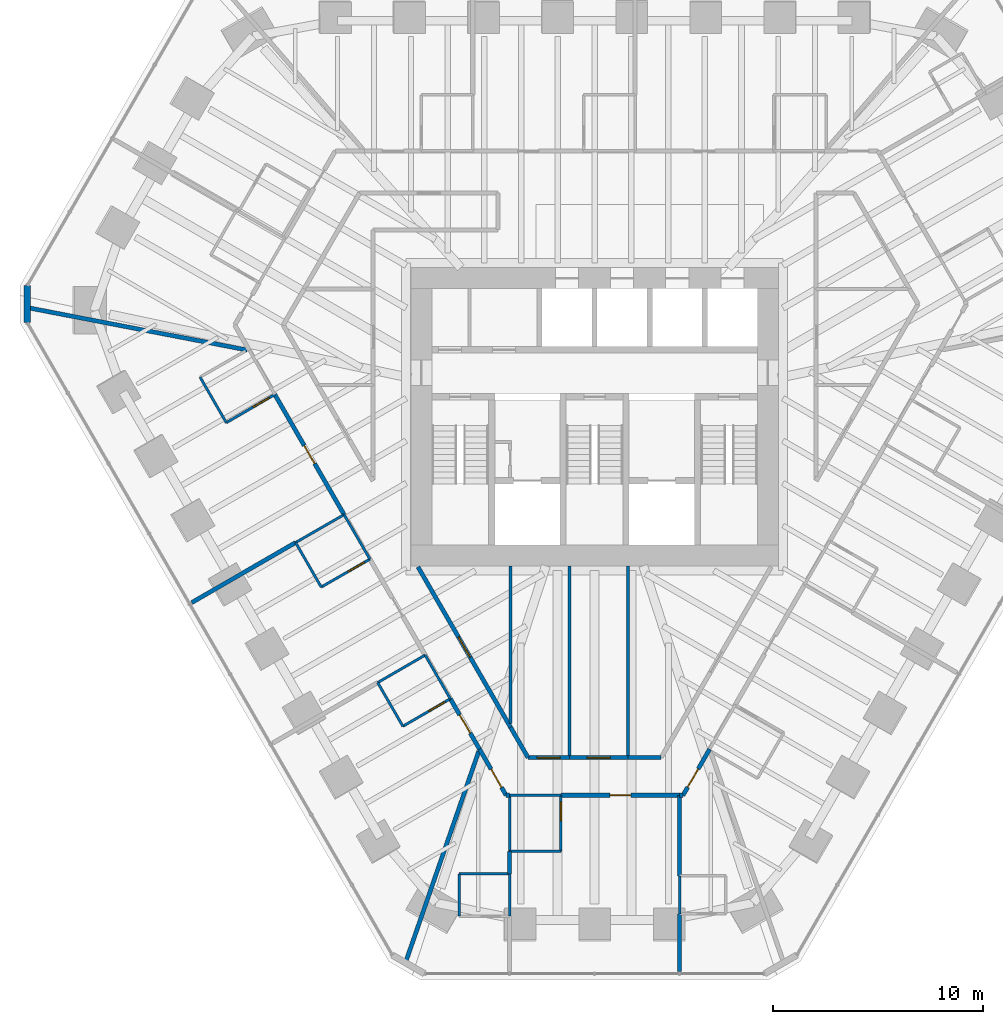
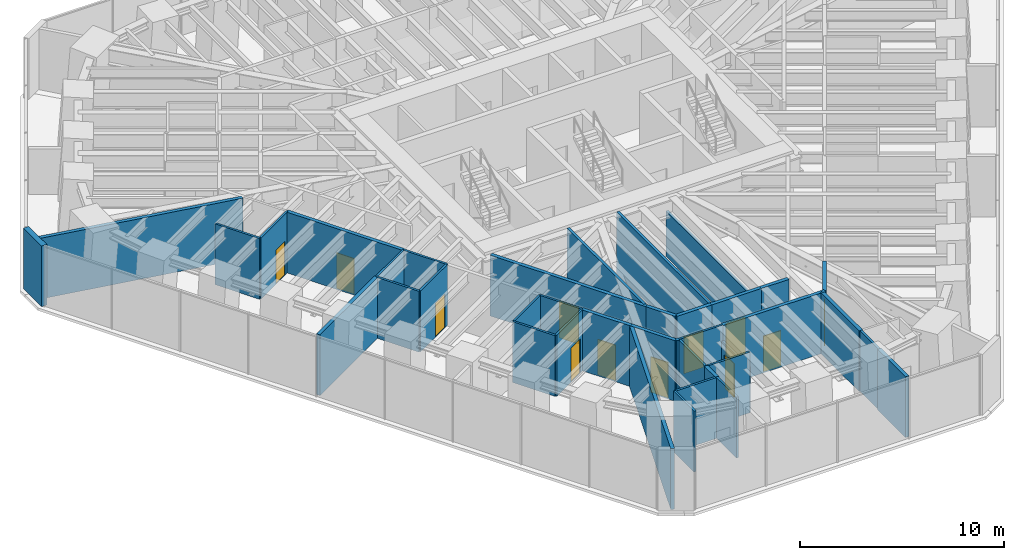
# One storey, part 11 of 16: 40 walls, 12 doors, 12 openings.
"""IFC4 building model written with IfcOpenShell, lengths in metres."""

from ifc_helpers import new_model, si_unit, direction, frame, frame_2d, origin, place, context, subcontext, project, spatial, rectangle, extrude, material, layer, layer_set, type_object, element, fill, save


model = new_model("IFC4")

# Units and contexts
model_context = context("Model", 3, precision=1e-05, world=origin(), true_north=direction((0.0, 1.0)))
body_context = subcontext(model_context, "Body", "Model", "MODEL_VIEW")
ifc_project = project(units=[si_unit("LENGTHUNIT", "METRE"), si_unit("AREAUNIT", "SQUARE_METRE"), si_unit("VOLUMEUNIT", "CUBIC_METRE"), si_unit("PLANEANGLEUNIT", "RADIAN"), si_unit("MASSUNIT", "GRAM", prefix="KILO")], contexts=[model_context])

# Site, building, storey
site_placement = place(None, origin())
site = spatial("IfcSite", under=ifc_project, at=site_placement, CompositionType="ELEMENT")
building_placement = place(site_placement, origin())
building = spatial("IfcBuilding", under=site, at=building_placement, Name="Sandreach Pilgrim Tower", CompositionType="ELEMENT")
storey_placement = place(building_placement, frame((0.0, 0.0, 247.800048828125)))
storey = spatial("IfcBuildingStorey", under=building, at=storey_placement, Name="L62", CompositionType="ELEMENT", Elevation=247.800048828125)

# Walls
ifc_material_1 = material(Name="Gypsum board on steel studs", Category="steel")
ifc_layer_1 = layer(ifc_material_1, 0.14990234375)
ifc_layer_set_1 = layer_set([ifc_layer_1], Name="Back of house wall 150")
wall_type_1 = type_object("IfcWallType", Name="Back of house wall 150", PredefinedType="PARTITIONING", material=ifc_layer_set_1)
wall_1_placement = place(storey_placement, frame((-4.0, -7.10009765625, 0.0), z_axis=(0.0, 0.0, 1.0), x_axis=(0.0, -1.0, 0.0)))
element("IfcWall", 1, at=wall_1_placement, inside=storey, type_object=wall_type_1, Name="Back of house wall L62-065", PredefinedType="PARTITIONING", context=body_context, shape_type="SweptSolid", body=[
    extrude(rectangle(XDim=7.514892578125, YDim=0.14990234375, at=frame_2d((3.75732421875, 0.0))), origin(), (0.0, 0.0, 1.0), 3.639892578125),
])
wall_2_placement = place(storey_placement, frame((-1.199951171875, -7.10009765625, 0.0), z_axis=(0.0, 0.0, 1.0), x_axis=(0.0, -1.0, 0.0)))
element("IfcWall", 2, at=wall_2_placement, inside=storey, type_object=wall_type_1, Name="Back of house wall L62-070", PredefinedType="PARTITIONING", context=body_context, shape_type="SweptSolid", body=[
    extrude(rectangle(XDim=9.1298828125, YDim=0.14990234375, at=frame_2d((4.56494140625, 0.0))), origin(), (0.0, 0.0, 1.0), 3.639892578125),
])
wall_3_placement = place(storey_placement, frame((1.60009765625, -7.10009765625, 0.0), z_axis=(0.0, 0.0, 1.0), x_axis=(0.0, -1.0, 0.0)))
element("IfcWall", 3, at=wall_3_placement, inside=storey, type_object=wall_type_1, Name="Back of house wall L62-074", PredefinedType="PARTITIONING", context=body_context, shape_type="SweptSolid", body=[
    extrude(rectangle(XDim=9.1298828125, YDim=0.14990234375, at=frame_2d((4.56494140625, 0.0))), origin(), (0.0, 0.0, 1.0), 2.712890625),
])
ifc_material_2 = material(Name="Moisture-resistant gypsum board on steel studs", Category="steel")
ifc_layer_2 = layer(ifc_material_2, 0.1201171875)
ifc_layer_set_2 = layer_set([ifc_layer_2], Name="Bathroom partition 120")
wall_type_2 = type_object("IfcWallType", Name="Bathroom partition 120", PredefinedType="PARTITIONING", material=ifc_layer_set_2)
wall_4_placement = place(storey_placement, frame((-18.7900390625, 1.889892578125, 0.0), z_axis=(0.0, 0.0, 1.0), x_axis=(0.499159685399, -0.866510016372, 0.0)))
element("IfcWall", 4, at=wall_4_placement, inside=storey, type_object=wall_type_2, Name="Bathroom partition L62-004", PredefinedType="PARTITIONING", context=body_context, shape_type="SweptSolid", body=[
    extrude(rectangle(XDim=2.504150390625, YDim=0.1201171875, at=frame_2d((1.251953125, 0.0))), origin(), (0.0, 0.0, 1.0), 3.639892578125),
])

# Wall, opening, door
wall_5_placement = place(storey_placement, frame((-17.5400390625, -0.280029296875, 0.0), z_axis=(0.0, 0.0, 1.0), x_axis=(0.86498992408, 0.501789229896, 0.0)))
wall_5 = element("IfcWall", 5, at=wall_5_placement, inside=storey, type_object=wall_type_2, Name="Bathroom partition L62-006", PredefinedType="PARTITIONING", context=body_context, shape_type="SweptSolid", body=[
    extrude(rectangle(XDim=2.670654296875, YDim=0.1201171875, at=frame_2d((1.33544921875, 0.0))), origin(), (0.0, 0.0, 1.0), 3.639892578125),
])
opening_1_placement = place(wall_5_placement, frame((1.470458984375, 0.0, 0.0)))
opening_1 = element("IfcOpeningElement", 6, at=opening_1_placement, cuts=wall_5, Name="Opening D09-15B", PredefinedType="OPENING", context=body_context, shape_type="SweptSolid", body=[
    extrude(rectangle(XDim=0.89990234375, YDim=2.030029296875, at=frame_2d((0.449951171875, 1.01513671875))), frame((0.0, 0.06005859375, 0.0), z_axis=(0.0, -1.0, 0.0), x_axis=(1.0, 0.0, 0.0)), (0.0, 0.0, 1.0), 0.1201171875),
])
ifc_material_3 = material(Name="Timber door, steel frame", Category="steel")
door_type_1 = type_object("IfcDoorType", Name="Bathroom door", OperationType="SINGLE_SWING_LEFT", PredefinedType="DOOR", material=ifc_material_3)
door_1_placement = place(opening_1_placement, origin())
door_1 = element("IfcDoor", 7, at=door_1_placement, inside=storey, type_object=door_type_1, Name="Door 6215B", OperationType="SINGLE_SWING_RIGHT", OverallHeight=2.030029296875, OverallWidth=0.89990234375, PredefinedType="DOOR", context=body_context, shape_type="SweptSolid", body=[
    extrude(rectangle(XDim=0.89990234375, YDim=2.030029296875, at=frame_2d((0.449951171875, 1.01513671875))), frame((0.0, 0.02490234375, 0.0), z_axis=(0.0, -1.0, 0.0), x_axis=(1.0, 0.0, 0.0)), (0.0, 0.0, 1.0), 0.050048828125),
])
fill(opening_1, door_1)

# Walls
wall_6_placement = place(storey_placement, frame((-14.239990234375, -5.989990234375, 0.0), z_axis=(0.0, 0.0, 1.0), x_axis=(0.498748634132, -0.866746675766, 0.0)))
element("IfcWall", 8, at=wall_6_placement, inside=storey, type_object=wall_type_2, Name="Bathroom partition L62-022", PredefinedType="PARTITIONING", context=body_context, shape_type="SweptSolid", body=[
    extrude(rectangle(XDim=2.446044921875, YDim=0.1201171875, at=frame_2d((1.22314453125, 0.0))), origin(), (0.0, 0.0, 1.0), 3.639892578125),
])
wall_7_placement = place(storey_placement, frame((-14.239990234375, -5.989990234375, 0.0), z_axis=(0.0, 0.0, 1.0), x_axis=(0.866615255992, 0.498976951453, 0.0)))
element("IfcWall", 9, at=wall_7_placement, inside=storey, type_object=wall_type_2, Name="Bathroom partition L62-023", PredefinedType="PARTITIONING", context=body_context, shape_type="SweptSolid", body=[
    extrude(rectangle(XDim=2.66552734375, YDim=0.1201171875, at=frame_2d((1.332763671875, 0.0))), origin(), (0.0, 0.0, 1.0), 3.639892578125),
])

# Wall, opening, door
wall_8_placement = place(storey_placement, frame((-13.02001953125, -8.110107421875, 0.0), z_axis=(0.0, 0.0, 1.0), x_axis=(0.867545659855, 0.497357545501, 0.0)))
wall_8 = element("IfcWall", 10, at=wall_8_placement, inside=storey, type_object=wall_type_2, Name="Bathroom partition L62-028", PredefinedType="PARTITIONING", context=body_context, shape_type="SweptSolid", body=[
    extrude(rectangle(XDim=2.67431640625, YDim=0.1201171875, at=frame_2d((1.337158203125, 0.0))), origin(), (0.0, 0.0, 1.0), 3.639892578125),
])
opening_2_placement = place(wall_8_placement, frame((1.47412109375, 0.0, 0.0)))
opening_2 = element("IfcOpeningElement", 11, at=opening_2_placement, cuts=wall_8, Name="Opening D09-14B", PredefinedType="OPENING", context=body_context, shape_type="SweptSolid", body=[
    extrude(rectangle(XDim=0.89990234375, YDim=2.030029296875, at=frame_2d((0.449951171875, 1.01513671875))), frame((0.0, 0.06005859375, 0.0), z_axis=(0.0, -1.0, 0.0), x_axis=(1.0, 0.0, 0.0)), (0.0, 0.0, 1.0), 0.1201171875),
])
door_2_placement = place(opening_2_placement, origin())
door_2 = element("IfcDoor", 12, at=door_2_placement, inside=storey, type_object=door_type_1, Name="Door 6214B", OperationType="SINGLE_SWING_RIGHT", OverallHeight=2.030029296875, OverallWidth=0.89990234375, PredefinedType="DOOR", context=body_context, shape_type="SweptSolid", body=[
    extrude(rectangle(XDim=0.89990234375, YDim=2.030029296875, at=frame_2d((0.449951171875, 1.01513671875))), frame((0.0, 0.02490234375, 0.0), z_axis=(0.0, -1.0, 0.0), x_axis=(1.0, 0.0, 0.0)), (0.0, 0.0, 1.0), 0.050048828125),
])
fill(opening_2, door_2)

# Walls
wall_9_placement = place(storey_placement, frame((-11.929931640625, -4.659912109375, 0.0), z_axis=(0.0, 0.0, 1.0), x_axis=(0.501813488763, -0.864975850817, 0.0)))
element("IfcWall", 13, at=wall_9_placement, inside=storey, type_object=wall_type_2, Name="Bathroom partition L62-029", PredefinedType="PARTITIONING", context=body_context, shape_type="SweptSolid", body=[
    extrude(rectangle(XDim=2.451171875, YDim=0.1201171875, at=frame_2d((1.2255859375, 0.0))), origin(), (0.0, 0.0, 1.0), 3.639892578125),
])
wall_10_placement = place(storey_placement, frame((-10.330078125, -12.659912109375, 0.0), z_axis=(0.0, 0.0, 1.0), x_axis=(0.499693115345, -0.866202511239, 0.0)))
element("IfcWall", 14, at=wall_10_placement, inside=storey, type_object=wall_type_2, Name="Bathroom partition L62-039", PredefinedType="PARTITIONING", context=body_context, shape_type="SweptSolid", body=[
    extrude(rectangle(XDim=2.4013671875, YDim=0.1201171875, at=frame_2d((1.20068359375, 0.0))), origin(), (0.0, 0.0, 1.0), 3.639892578125),
])
wall_11_placement = place(storey_placement, frame((-10.330078125, -12.659912109375, 0.0), z_axis=(0.0, 0.0, 1.0), x_axis=(0.865195830568, 0.501434118073, 0.0)))
element("IfcWall", 15, at=wall_11_placement, inside=storey, type_object=wall_type_2, Name="Bathroom partition L62-040", PredefinedType="PARTITIONING", context=body_context, shape_type="SweptSolid", body=[
    extrude(rectangle(XDim=2.612060546875, YDim=0.1201171875, at=frame_2d((1.30615234375, 0.0))), origin(), (0.0, 0.0, 1.0), 3.639892578125),
])

# Wall, opening, door
wall_12_placement = place(storey_placement, frame((-9.1298828125, -14.739990234375, 0.0), z_axis=(0.0, 0.0, 1.0), x_axis=(0.865131772832, 0.501544629755, 0.0)))
wall_12 = element("IfcWall", 16, at=wall_12_placement, inside=storey, type_object=wall_type_2, Name="Bathroom partition L62-041", PredefinedType="PARTITIONING", context=body_context, shape_type="SweptSolid", body=[
    extrude(rectangle(XDim=2.612060546875, YDim=0.1201171875, at=frame_2d((1.30615234375, 0.0))), origin(), (0.0, 0.0, 1.0), 3.639892578125),
])
opening_3_placement = place(wall_12_placement, frame((1.412109375, 0.0, 0.0)))
opening_3 = element("IfcOpeningElement", 17, at=opening_3_placement, cuts=wall_12, Name="Opening D09-13B", PredefinedType="OPENING", context=body_context, shape_type="SweptSolid", body=[
    extrude(rectangle(XDim=0.89990234375, YDim=2.030029296875, at=frame_2d((0.449951171875, 1.01513671875))), frame((0.0, 0.06005859375, 0.0), z_axis=(0.0, -1.0, 0.0), x_axis=(1.0, 0.0, 0.0)), (0.0, 0.0, 1.0), 0.1201171875),
])
door_3_placement = place(opening_3_placement, origin())
door_3 = element("IfcDoor", 18, at=door_3_placement, inside=storey, type_object=door_type_1, Name="Door 6213B", OperationType="SINGLE_SWING_RIGHT", OverallHeight=2.030029296875, OverallWidth=0.89990234375, PredefinedType="DOOR", context=body_context, shape_type="SweptSolid", body=[
    extrude(rectangle(XDim=0.89990234375, YDim=2.030029296875, at=frame_2d((0.449951171875, 1.01513671875))), frame((0.0, 0.02490234375, 0.0), z_axis=(0.0, -1.0, 0.0), x_axis=(1.0, 0.0, 0.0)), (0.0, 0.0, 1.0), 0.050048828125),
])
fill(opening_3, door_3)

# Walls
wall_13_placement = place(storey_placement, frame((-8.070068359375, -11.35009765625, 0.0), z_axis=(0.0, 0.0, 1.0), x_axis=(0.499737123639, -0.866177122335, 0.0)))
element("IfcWall", 19, at=wall_13_placement, inside=storey, type_object=wall_type_2, Name="Bathroom partition L62-045", PredefinedType="PARTITIONING", context=body_context, shape_type="SweptSolid", body=[
    extrude(rectangle(XDim=2.401123046875, YDim=0.1201171875, at=frame_2d((1.20068359375, 0.0))), origin(), (0.0, 0.0, 1.0), 3.639892578125),
])
for number, where, z_axis, x_axis, name in (
    (20, (-6.449951171875, -21.77001953125, 0.0), (0.0, 0.0, 1.0), (0.0, -1.0, 0.0), "Bathroom partition L62-048"),
    (21, (-4.050048828125, -23.780029296875, 0.0), (0.0, 0.0, 1.0), (0.0, 1.0, 0.0), "Bathroom partition L62-058"),
):
    element("IfcWall", number, at=place(storey_placement, frame(where, z_axis=z_axis, x_axis=x_axis)), inside=storey, type_object=wall_type_2, Name=name, PredefinedType="PARTITIONING", context=body_context, shape_type="SweptSolid", body=[
        extrude(rectangle(XDim=2.010009765625, YDim=0.1201171875, at=frame_2d((1.0048828125, 0.0))), origin(), (0.0, 0.0, 1.0), 3.639892578125),
    ])
wall_14_placement = place(storey_placement, frame((-4.050048828125, -21.77001953125, 0.0), z_axis=(0.0, 0.0, 1.0), x_axis=(-1.0, 0.0, 0.0)))
element("IfcWall", 22, at=wall_14_placement, inside=storey, type_object=wall_type_2, Name="Bathroom partition L62-059", PredefinedType="PARTITIONING", context=body_context, shape_type="SweptSolid", body=[
    extrude(rectangle(XDim=2.39990234375, YDim=0.1201171875, at=frame_2d((1.199951171875, 0.0))), origin(), (0.0, 0.0, 1.0), 3.639892578125),
])
wall_15_placement = place(storey_placement, frame((-4.050048828125, -20.699951171875, 0.0), z_axis=(0.0, 0.0, 1.0), x_axis=(0.0, 1.0, 0.0)))
element("IfcWall", 23, at=wall_15_placement, inside=storey, type_object=wall_type_2, Name="Bathroom partition L62-061", PredefinedType="PARTITIONING", context=body_context, shape_type="SweptSolid", body=[
    extrude(rectangle(XDim=2.669921875, YDim=0.1201171875, at=frame_2d((1.3349609375, 0.0))), origin(), (0.0, 0.0, 1.0), 3.639892578125),
])
for number, where, z_axis, x_axis, name in (
    (24, (-4.050048828125, -20.699951171875, 0.0), (0.0, 0.0, 1.0), (1.0, 0.0, 0.0), "Bathroom partition L62-062"),
    (25, (-4.050048828125, -18.030029296875, 0.0), (0.0, 0.0, 1.0), (1.0, 0.0, 0.0), "Bathroom partition L62-063"),
):
    element("IfcWall", number, at=place(storey_placement, frame(where, z_axis=z_axis, x_axis=x_axis)), inside=storey, type_object=wall_type_2, Name=name, PredefinedType="PARTITIONING", context=body_context, shape_type="SweptSolid", body=[
        extrude(rectangle(XDim=2.449951171875, YDim=0.1201171875, at=frame_2d((1.22509765625, 0.0))), origin(), (0.0, 0.0, 1.0), 3.639892578125),
    ])

# Wall, opening, door
wall_16_placement = place(storey_placement, frame((-1.60009765625, -20.699951171875, 0.0), z_axis=(0.0, 0.0, 1.0), x_axis=(0.0, 1.0, 0.0)))
wall_16 = element("IfcWall", 26, at=wall_16_placement, inside=storey, type_object=wall_type_2, Name="Bathroom partition L62-067", PredefinedType="PARTITIONING", context=body_context, shape_type="SweptSolid", body=[
    extrude(rectangle(XDim=2.669921875, YDim=0.1201171875, at=frame_2d((1.3349609375, 0.0))), origin(), (0.0, 0.0, 1.0), 2.712890625),
])
opening_4_placement = place(wall_16_placement, frame((1.469970703125, 0.0, 0.0)))
opening_4 = element("IfcOpeningElement", 27, at=opening_4_placement, cuts=wall_16, Name="Opening D09-11B", PredefinedType="OPENING", context=body_context, shape_type="SweptSolid", body=[
    extrude(rectangle(XDim=0.89990234375, YDim=2.030029296875, at=frame_2d((0.449951171875, 1.01513671875))), frame((0.0, 0.06005859375, 0.0), z_axis=(0.0, -1.0, 0.0), x_axis=(1.0, 0.0, 0.0)), (0.0, 0.0, 1.0), 0.1201171875),
])
door_4_placement = place(opening_4_placement, origin())
door_4 = element("IfcDoor", 28, at=door_4_placement, inside=storey, type_object=door_type_1, Name="Door 6211B", OperationType="SINGLE_SWING_RIGHT", OverallHeight=2.030029296875, OverallWidth=0.89990234375, PredefinedType="DOOR", context=body_context, shape_type="SweptSolid", body=[
    extrude(rectangle(XDim=0.89990234375, YDim=2.030029296875, at=frame_2d((0.449951171875, 1.01513671875))), frame((0.0, 0.02490234375, 0.0), z_axis=(0.0, -1.0, 0.0), x_axis=(1.0, 0.0, 0.0)), (0.0, 0.0, 1.0), 0.050048828125),
])
fill(opening_4, door_4)

# Wall
wall_17_placement = place(storey_placement, frame((4.050048828125, -23.679931640625, 0.0), z_axis=(0.0, 0.0, 1.0), x_axis=(0.0, 1.0, 0.0)))
element("IfcWall", 29, at=wall_17_placement, inside=storey, type_object=wall_type_2, Name="Bathroom partition L62-081", PredefinedType="PARTITIONING", context=body_context, shape_type="SweptSolid", body=[
    extrude(rectangle(XDim=1.809814453125, YDim=0.1201171875, at=frame_2d((0.90478515625, 0.0))), origin(), (0.0, 0.0, 1.0), 3.639892578125),
])

# Wall, opening, door
ifc_material_4 = material(Name="Gypsum board on steel studs, two layers each side", Category="steel")
ifc_layer_3 = layer(ifc_material_4, 0.199951171875)
ifc_layer_set_3 = layer_set([ifc_layer_3], Name="Corridor wall 200")
wall_type_3 = type_object("IfcWallType", Name="Corridor wall 200", PredefinedType="PARTITIONING", material=ifc_layer_set_3)
wall_18_placement = place(storey_placement, frame((-15.22998046875, 1.06005859375, 0.0), z_axis=(0.0, 0.0, 1.0), x_axis=(0.499729921425, -0.866181277581, 0.0)))
wall_18 = element("IfcWall", 30, at=wall_18_placement, inside=storey, type_object=wall_type_3, Name="Corridor wall L62-016", PredefinedType="PARTITIONING", context=body_context, shape_type="SweptSolid", body=[
    extrude(rectangle(XDim=6.603759765625, YDim=0.199951171875, at=frame_2d((3.3017578125, 0.0))), origin(), (0.0, 0.0, 1.0), 3.639892578125),
])
opening_5_placement = place(wall_18_placement, frame((2.802001953125, 0.0, 0.0)))
opening_5 = element("IfcOpeningElement", 31, at=opening_5_placement, cuts=wall_18, Name="Opening D10-15", PredefinedType="OPENING", context=body_context, shape_type="SweptSolid", body=[
    extrude(rectangle(XDim=1.0, YDim=2.1298828125, at=frame_2d((0.5, 1.06494140625))), frame((0.0, 0.10009765625, 0.0), z_axis=(0.0, -1.0, 0.0), x_axis=(1.0, 0.0, 0.0)), (0.0, 0.0, 1.0), 0.199951171875),
])
ifc_material_5 = material(Name="Steel door and frame", Category="steel")
door_type_2 = type_object("IfcDoorType", Name="Guest room entry door", OperationType="SINGLE_SWING_LEFT", PredefinedType="DOOR", material=ifc_material_5)
door_5_placement = place(opening_5_placement, origin())
door_5 = element("IfcDoor", 32, at=door_5_placement, inside=storey, type_object=door_type_2, Name="Door 6215", OperationType="SINGLE_SWING_LEFT", OverallHeight=2.1298828125, OverallWidth=1.0, PredefinedType="DOOR", context=body_context, shape_type="SweptSolid", body=[
    extrude(rectangle(XDim=1.0, YDim=2.1298828125, at=frame_2d((0.5, 1.06494140625))), frame((0.0, 0.02490234375, 0.0), z_axis=(0.0, -1.0, 0.0), x_axis=(1.0, 0.0, 0.0)), (0.0, 0.0, 1.0), 0.050048828125),
])
fill(opening_5, door_5)

wall_19_placement = place(storey_placement, frame((-6.8701171875, -13.429931640625, 0.0), z_axis=(0.0, 0.0, 1.0), x_axis=(0.501192399481, -0.865335876237, 0.0)))
wall_19 = element("IfcWall", 33, at=wall_19_placement, inside=storey, type_object=wall_type_3, Name="Corridor wall L62-046", PredefinedType="PARTITIONING", context=body_context, shape_type="SweptSolid", body=[
    extrude(rectangle(XDim=2.773681640625, YDim=0.199951171875, at=frame_2d((1.38671875, 0.0))), origin(), (0.0, 0.0, 1.0), 3.639892578125),
])
opening_6_placement = place(wall_19_placement, frame((0.88671875, 0.0, 0.0)))
opening_6 = element("IfcOpeningElement", 34, at=opening_6_placement, cuts=wall_19, Name="Opening D10-13", PredefinedType="OPENING", context=body_context, shape_type="SweptSolid", body=[
    extrude(rectangle(XDim=1.0, YDim=2.1298828125, at=frame_2d((0.5, 1.06494140625))), frame((0.0, 0.10009765625, 0.0), z_axis=(0.0, -1.0, 0.0), x_axis=(1.0, 0.0, 0.0)), (0.0, 0.0, 1.0), 0.199951171875),
])
door_6_placement = place(opening_6_placement, origin())
door_6 = element("IfcDoor", 35, at=door_6_placement, inside=storey, type_object=door_type_2, Name="Door 6213", OperationType="SINGLE_SWING_LEFT", OverallHeight=2.1298828125, OverallWidth=1.0, PredefinedType="DOOR", context=body_context, shape_type="SweptSolid", body=[
    extrude(rectangle(XDim=1.0, YDim=2.1298828125, at=frame_2d((0.5, 1.06494140625))), frame((0.0, 0.02490234375, 0.0), z_axis=(0.0, -1.0, 0.0), x_axis=(1.0, 0.0, 0.0)), (0.0, 0.0, 1.0), 0.050048828125),
])
fill(opening_6, door_6)

wall_20_placement = place(storey_placement, frame((-5.47998046875, -15.830078125, 0.0), z_axis=(0.0, 0.0, 1.0), x_axis=(0.499963722229, -0.866046347752, 0.0)))
wall_20 = element("IfcWall", 36, at=wall_20_placement, inside=storey, type_object=wall_type_3, Name="Corridor wall L62-053", PredefinedType="PARTITIONING", context=body_context, shape_type="SweptSolid", body=[
    extrude(rectangle(XDim=2.540283203125, YDim=0.199951171875, at=frame_2d((1.27001953125, 0.0))), origin(), (0.0, 0.0, 1.0), 3.639892578125),
])
opening_7_placement = place(wall_20_placement, frame((1.10009765625, 0.0, 0.0)))
opening_7 = element("IfcOpeningElement", 37, at=opening_7_placement, cuts=wall_20, Name="Opening D10-12", PredefinedType="OPENING", context=body_context, shape_type="SweptSolid", body=[
    extrude(rectangle(XDim=1.0, YDim=2.1298828125, at=frame_2d((0.5, 1.06494140625))), frame((0.0, 0.10009765625, 0.0), z_axis=(0.0, -1.0, 0.0), x_axis=(1.0, 0.0, 0.0)), (0.0, 0.0, 1.0), 0.199951171875),
])
door_7_placement = place(opening_7_placement, origin())
door_7 = element("IfcDoor", 38, at=door_7_placement, inside=storey, type_object=door_type_2, Name="Door 6212", OperationType="SINGLE_SWING_RIGHT", OverallHeight=2.1298828125, OverallWidth=1.0, PredefinedType="DOOR", context=body_context, shape_type="SweptSolid", body=[
    extrude(rectangle(XDim=1.0, YDim=2.1298828125, at=frame_2d((0.5, 1.06494140625))), frame((0.0, 0.02490234375, 0.0), z_axis=(0.0, -1.0, 0.0), x_axis=(1.0, 0.0, 0.0)), (0.0, 0.0, 1.0), 0.050048828125),
])
fill(opening_7, door_7)

# Wall
wall_21_placement = place(storey_placement, frame((-4.2099609375, -18.030029296875, 0.0), z_axis=(0.0, 0.0, 1.0), x_axis=(1.0, 0.0, 0.0)))
element("IfcWall", 39, at=wall_21_placement, inside=storey, type_object=wall_type_3, Name="Corridor wall L62-056", PredefinedType="PARTITIONING", context=body_context, shape_type="SweptSolid", body=[
    extrude(rectangle(XDim=0.159912109375, YDim=0.199951171875, at=frame_2d((0.080078125, 0.0))), origin(), (0.0, 0.0, 1.0), 3.639892578125),
])

# Wall, opening, door
wall_22_placement = place(storey_placement, frame((-4.0, -14.7900390625, 0.0), z_axis=(0.0, 0.0, 1.0), x_axis=(-0.499916512745, 0.866073599808, 0.0)))
wall_22 = element("IfcWall", 40, at=wall_22_placement, inside=storey, type_object=wall_type_3, Name="Corridor wall L62-064", PredefinedType="PARTITIONING", context=body_context, shape_type="SweptSolid", body=[
    extrude(rectangle(XDim=8.8212890625, YDim=0.199951171875, at=frame_2d((4.41064453125, 0.0))), origin(), (0.0, 0.0, 1.0), 3.639892578125),
])
opening_8_placement = place(wall_22_placement, frame((3.860595703125, 0.0, 0.0)))
opening_8 = element("IfcOpeningElement", 41, at=opening_8_placement, cuts=wall_22, Name="Opening D11H-S1", PredefinedType="OPENING", context=body_context, shape_type="SweptSolid", body=[
    extrude(rectangle(XDim=1.10009765625, YDim=2.199951171875, at=frame_2d((0.550048828125, 1.10009765625))), frame((0.0, 0.10009765625, 0.0), z_axis=(0.0, -1.0, 0.0), x_axis=(1.0, 0.0, 0.0)), (0.0, 0.0, 1.0), 0.199951171875),
])
ifc_material_6 = material(Name="Steel door and frame", Category="steel")
door_type_3 = type_object("IfcDoorType", Name="Back of house door", OperationType="SINGLE_SWING_LEFT", PredefinedType="DOOR", material=ifc_material_6)
door_8_placement = place(opening_8_placement, origin())
door_8 = element("IfcDoor", 42, at=door_8_placement, inside=storey, type_object=door_type_3, Name="Door 62S1", OperationType="SINGLE_SWING_LEFT", OverallHeight=2.199951171875, OverallWidth=1.10009765625, PredefinedType="DOOR", context=body_context, shape_type="SweptSolid", body=[
    extrude(rectangle(XDim=1.10009765625, YDim=2.199951171875, at=frame_2d((0.550048828125, 1.10009765625))), frame((0.0, 0.02490234375, 0.0), z_axis=(0.0, -1.0, 0.0), x_axis=(1.0, 0.0, 0.0)), (0.0, 0.0, 1.0), 0.050048828125),
])
fill(opening_8, door_8)

# Wall
wall_23_placement = place(storey_placement, frame((-3.169921875, -16.22998046875, 0.0), z_axis=(0.0, 0.0, 1.0), x_axis=(-0.499425709803, 0.866356716594, 0.0)))
element("IfcWall", 43, at=wall_23_placement, inside=storey, type_object=wall_type_3, Name="Corridor wall L62-066", PredefinedType="PARTITIONING", context=body_context, shape_type="SweptSolid", body=[
    extrude(rectangle(XDim=1.662109375, YDim=0.199951171875, at=frame_2d((0.8310546875, 0.0))), origin(), (0.0, 0.0, 1.0), 3.639892578125),
])

# Wall, opening, door
wall_24_placement = place(storey_placement, frame((-1.60009765625, -18.030029296875, 0.0), z_axis=(0.0, 0.0, 1.0), x_axis=(1.0, 0.0, 0.0)))
wall_24 = element("IfcWall", 44, at=wall_24_placement, inside=storey, type_object=wall_type_3, Name="Corridor wall L62-068", PredefinedType="PARTITIONING", context=body_context, shape_type="SweptSolid", body=[
    extrude(rectangle(XDim=5.650146484375, YDim=0.199951171875, at=frame_2d((2.8251953125, 0.0))), origin(), (0.0, 0.0, 1.0), 3.639892578125),
])
opening_9_placement = place(wall_24_placement, frame((2.324951171875, 0.0, 0.0)))
opening_9 = element("IfcOpeningElement", 45, at=opening_9_placement, cuts=wall_24, Name="Opening D10-11", PredefinedType="OPENING", context=body_context, shape_type="SweptSolid", body=[
    extrude(rectangle(XDim=1.0, YDim=2.1298828125, at=frame_2d((0.5, 1.06494140625))), frame((0.0, 0.10009765625, 0.0), z_axis=(0.0, -1.0, 0.0), x_axis=(1.0, 0.0, 0.0)), (0.0, 0.0, 1.0), 0.199951171875),
])
door_9_placement = place(opening_9_placement, origin())
door_9 = element("IfcDoor", 46, at=door_9_placement, inside=storey, type_object=door_type_2, Name="Door 6211", OperationType="SINGLE_SWING_LEFT", OverallHeight=2.1298828125, OverallWidth=1.0, PredefinedType="DOOR", context=body_context, shape_type="SweptSolid", body=[
    extrude(rectangle(XDim=1.0, YDim=2.1298828125, at=frame_2d((0.5, 1.06494140625))), frame((0.0, 0.02490234375, 0.0), z_axis=(0.0, -1.0, 0.0), x_axis=(1.0, 0.0, 0.0)), (0.0, 0.0, 1.0), 0.050048828125),
])
fill(opening_9, door_9)

wall_25_placement = place(storey_placement, frame((-1.199951171875, -16.22998046875, 0.0), z_axis=(0.0, 0.0, 1.0), x_axis=(-1.0, 0.0, 0.0)))
wall_25 = element("IfcWall", 47, at=wall_25_placement, inside=storey, type_object=wall_type_3, Name="Corridor wall L62-069", PredefinedType="PARTITIONING", context=body_context, shape_type="SweptSolid", body=[
    extrude(rectangle(XDim=1.969970703125, YDim=0.199951171875, at=frame_2d((0.98486328125, 0.0))), origin(), (0.0, 0.0, 1.0), 3.639892578125),
])
opening_10_placement = place(wall_25_placement, frame((0.43505859375, 0.0, 0.0)))
opening_10 = element("IfcOpeningElement", 48, at=opening_10_placement, cuts=wall_25, Name="Opening D11H-S2", PredefinedType="OPENING", context=body_context, shape_type="SweptSolid", body=[
    extrude(rectangle(XDim=1.10009765625, YDim=2.199951171875, at=frame_2d((0.550048828125, 1.10009765625))), frame((0.0, 0.10009765625, 0.0), z_axis=(0.0, -1.0, 0.0), x_axis=(1.0, 0.0, 0.0)), (0.0, 0.0, 1.0), 0.199951171875),
])
door_10_placement = place(opening_10_placement, origin())
door_10 = element("IfcDoor", 49, at=door_10_placement, inside=storey, type_object=door_type_3, Name="Door 62S2", OperationType="SINGLE_SWING_LEFT", OverallHeight=2.199951171875, OverallWidth=1.10009765625, PredefinedType="DOOR", context=body_context, shape_type="SweptSolid", body=[
    extrude(rectangle(XDim=1.10009765625, YDim=2.199951171875, at=frame_2d((0.550048828125, 1.10009765625))), frame((0.0, 0.02490234375, 0.0), z_axis=(0.0, -1.0, 0.0), x_axis=(1.0, 0.0, 0.0)), (0.0, 0.0, 1.0), 0.050048828125),
])
fill(opening_10, door_10)

wall_26_placement = place(storey_placement, frame((1.60009765625, -16.22998046875, 0.0), z_axis=(0.0, 0.0, 1.0), x_axis=(-1.0, 0.0, 0.0)))
wall_26 = element("IfcWall", 50, at=wall_26_placement, inside=storey, type_object=wall_type_3, Name="Corridor wall L62-073", PredefinedType="PARTITIONING", context=body_context, shape_type="SweptSolid", body=[
    extrude(rectangle(XDim=2.800048828125, YDim=0.199951171875, at=frame_2d((1.39990234375, 0.0))), origin(), (0.0, 0.0, 1.0), 3.639892578125),
])
opening_11_placement = place(wall_26_placement, frame((0.85009765625, 0.0, 0.0)))
opening_11 = element("IfcOpeningElement", 51, at=opening_11_placement, cuts=wall_26, Name="Opening D11H-S3", PredefinedType="OPENING", context=body_context, shape_type="SweptSolid", body=[
    extrude(rectangle(XDim=1.10009765625, YDim=2.199951171875, at=frame_2d((0.550048828125, 1.10009765625))), frame((0.0, 0.10009765625, 0.0), z_axis=(0.0, -1.0, 0.0), x_axis=(1.0, 0.0, 0.0)), (0.0, 0.0, 1.0), 0.199951171875),
])
door_11_placement = place(opening_11_placement, origin())
door_11 = element("IfcDoor", 52, at=door_11_placement, inside=storey, type_object=door_type_3, Name="Door 62S3", OperationType="SINGLE_SWING_LEFT", OverallHeight=2.199951171875, OverallWidth=1.10009765625, PredefinedType="DOOR", context=body_context, shape_type="SweptSolid", body=[
    extrude(rectangle(XDim=1.10009765625, YDim=2.199951171875, at=frame_2d((0.550048828125, 1.10009765625))), frame((0.0, 0.02490234375, 0.0), z_axis=(0.0, -1.0, 0.0), x_axis=(1.0, 0.0, 0.0)), (0.0, 0.0, 1.0), 0.050048828125),
])
fill(opening_11, door_11)

# Walls
wall_27_placement = place(storey_placement, frame((3.169921875, -16.22998046875, 0.0), z_axis=(0.0, 0.0, 1.0), x_axis=(-1.0, 0.0, 0.0)))
element("IfcWall", 53, at=wall_27_placement, inside=storey, type_object=wall_type_3, Name="Corridor wall L62-079", PredefinedType="PARTITIONING", context=body_context, shape_type="SweptSolid", body=[
    extrude(rectangle(XDim=1.56982421875, YDim=0.199951171875, at=frame_2d((0.784912109375, 0.0))), origin(), (0.0, 0.0, 1.0), 3.639892578125),
])
wall_28_placement = place(storey_placement, frame((4.050048828125, -18.030029296875, 0.0), z_axis=(0.0, 0.0, 1.0), x_axis=(1.0, 0.0, 0.0)))
element("IfcWall", 54, at=wall_28_placement, inside=storey, type_object=wall_type_3, Name="Corridor wall L62-084", PredefinedType="PARTITIONING", context=body_context, shape_type="SweptSolid", body=[
    extrude(rectangle(XDim=0.159912109375, YDim=0.199951171875, at=frame_2d((0.080078125, 0.0))), origin(), (0.0, 0.0, 1.0), 3.639892578125),
])

# Wall, opening, door
wall_29_placement = place(storey_placement, frame((4.2099609375, -18.030029296875, 0.0), z_axis=(0.0, 0.0, 1.0), x_axis=(0.499963722229, 0.866046347752, 0.0)))
wall_29 = element("IfcWall", 55, at=wall_29_placement, inside=storey, type_object=wall_type_3, Name="Corridor wall L62-085", PredefinedType="PARTITIONING", context=body_context, shape_type="SweptSolid", body=[
    extrude(rectangle(XDim=2.540283203125, YDim=0.199951171875, at=frame_2d((1.27001953125, 0.0))), origin(), (0.0, 0.0, 1.0), 3.639892578125),
])
opening_12_placement = place(wall_29_placement, frame((0.449951171875, 0.0, 0.0)))
opening_12 = element("IfcOpeningElement", 56, at=opening_12_placement, cuts=wall_29, Name="Opening D10-10", PredefinedType="OPENING", context=body_context, shape_type="SweptSolid", body=[
    extrude(rectangle(XDim=1.0, YDim=2.1298828125, at=frame_2d((0.5, 1.06494140625))), frame((0.0, 0.10009765625, 0.0), z_axis=(0.0, -1.0, 0.0), x_axis=(1.0, 0.0, 0.0)), (0.0, 0.0, 1.0), 0.199951171875),
])
door_12_placement = place(opening_12_placement, origin())
door_12 = element("IfcDoor", 57, at=door_12_placement, inside=storey, type_object=door_type_2, Name="Door 6210", OperationType="SINGLE_SWING_LEFT", OverallHeight=2.1298828125, OverallWidth=1.0, PredefinedType="DOOR", context=body_context, shape_type="SweptSolid", body=[
    extrude(rectangle(XDim=1.0, YDim=2.1298828125, at=frame_2d((0.5, 1.06494140625))), frame((0.0, 0.02490234375, 0.0), z_axis=(0.0, -1.0, 0.0), x_axis=(1.0, 0.0, 0.0)), (0.0, 0.0, 1.0), 0.050048828125),
])
fill(opening_12, door_12)

# Walls
ifc_material_7 = material(Name="Double steel stud acoustic wall, gypsum board", Category="steel")
ifc_layer_4 = layer(ifc_material_7, 0.199951171875)
ifc_layer_set_4 = layer_set([ifc_layer_4], Name="Party wall 200")
wall_type_4 = type_object("IfcWallType", Name="Party wall 200", PredefinedType="PARTITIONING", material=ifc_layer_set_4)
wall_30_placement = place(storey_placement, frame((-27.04052734375, 5.204345703125, 0.0), z_axis=(0.0, 0.0, 1.0), x_axis=(0.981884490433, -0.18948046719, 0.0)))
element("IfcWall", 58, at=wall_30_placement, inside=storey, type_object=wall_type_4, Name="Party wall L62-001", PredefinedType="PARTITIONING", context=body_context, shape_type="SweptSolid", body=[
    extrude(rectangle(XDim=10.68408203125, YDim=0.199951171875, at=frame_2d((5.342041015625, 0.0))), origin(), (0.0, 0.0, 1.0), 3.639892578125),
])
wall_31_placement = place(storey_placement, frame((-19.18603515625, -8.849853515625, 0.0), z_axis=(0.0, 0.0, 1.0), x_axis=(0.865702137343, 0.500559496364, 0.0)))
element("IfcWall", 59, at=wall_31_placement, inside=storey, type_object=wall_type_4, Name="Party wall L62-003", PredefinedType="PARTITIONING", context=body_context, shape_type="SweptSolid", body=[
    extrude(rectangle(XDim=5.71337890625, YDim=0.199951171875, at=frame_2d((2.856689453125, 0.0))), origin(), (0.0, 0.0, 1.0), 3.639892578125),
])
wall_32_placement = place(storey_placement, frame((-9.01025390625, -26.01171875, 0.0), z_axis=(0.0, 0.0, 1.0), x_axis=(0.327582991606, 0.944822408504, 0.0)))
element("IfcWall", 60, at=wall_32_placement, inside=storey, type_object=wall_type_4, Name="Party wall L62-042", PredefinedType="PARTITIONING", context=body_context, shape_type="SweptSolid", body=[
    extrude(rectangle(XDim=10.66650390625, YDim=0.199951171875, at=frame_2d((5.333251953125, 0.0))), origin(), (0.0, 0.0, 1.0), 3.639892578125),
])
wall_33_placement = place(storey_placement, frame((-4.050048828125, -21.77001953125, 0.0), z_axis=(0.0, 0.0, 1.0), x_axis=(0.0, 1.0, 0.0)))
element("IfcWall", 61, at=wall_33_placement, inside=storey, type_object=wall_type_4, Name="Party wall L62-060", PredefinedType="PARTITIONING", context=body_context, shape_type="SweptSolid", body=[
    extrude(rectangle(XDim=1.070068359375, YDim=0.199951171875, at=frame_2d((0.53515625, 0.0))), origin(), (0.0, 0.0, 1.0), 3.639892578125),
])
wall_34_placement = place(storey_placement, frame((4.050048828125, -26.409912109375, 0.0), z_axis=(0.0, 0.0, 1.0), x_axis=(0.0, 1.0, 0.0)))
element("IfcWall", 62, at=wall_34_placement, inside=storey, type_object=wall_type_4, Name="Party wall L62-080", PredefinedType="PARTITIONING", context=body_context, shape_type="SweptSolid", body=[
    extrude(rectangle(XDim=2.72998046875, YDim=0.199951171875, at=frame_2d((1.364990234375, 0.0))), origin(), (0.0, 0.0, 1.0), 3.639892578125),
])
wall_35_placement = place(storey_placement, frame((4.050048828125, -21.8701171875, 0.0), z_axis=(0.0, 0.0, 1.0), x_axis=(0.0, 1.0, 0.0)))
element("IfcWall", 63, at=wall_35_placement, inside=storey, type_object=wall_type_4, Name="Party wall L62-083", PredefinedType="PARTITIONING", context=body_context, shape_type="SweptSolid", body=[
    extrude(rectangle(XDim=3.830078125, YDim=0.199951171875, at=frame_2d((1.9150390625, 0.0))), origin(), (0.0, 0.0, 1.0), 3.639892578125),
])
ifc_material_8 = material(Name="Terracotta rainscreen on concrete", Category="masonry")
ifc_layer_5 = layer(ifc_material_8, 0.300048828125)
ifc_layer_set_5 = layer_set([ifc_layer_5], Name="Terracotta chamfer pier")
wall_type_5 = type_object("IfcWallType", Name="Terracotta chamfer pier", PredefinedType="SOLIDWALL", material=ifc_layer_set_5)
wall_36_placement = place(storey_placement, frame((-27.02001953125, 4.47998046875, 0.0), z_axis=(0.0, 0.0, 1.0), x_axis=(0.0, 1.0, 0.0)))
element("IfcWall", 64, at=wall_36_placement, inside=storey, type_object=wall_type_5, Name="Chamfer pier L62 SW", PredefinedType="SOLIDWALL", context=body_context, shape_type="SweptSolid", body=[
    extrude(rectangle(XDim=1.77001953125, YDim=0.300048828125, at=frame_2d((0.885009765625, 0.0))), origin(), (0.0, 0.0, 1.0), 3.639892578125),
])

save(model, "model.ifc")
